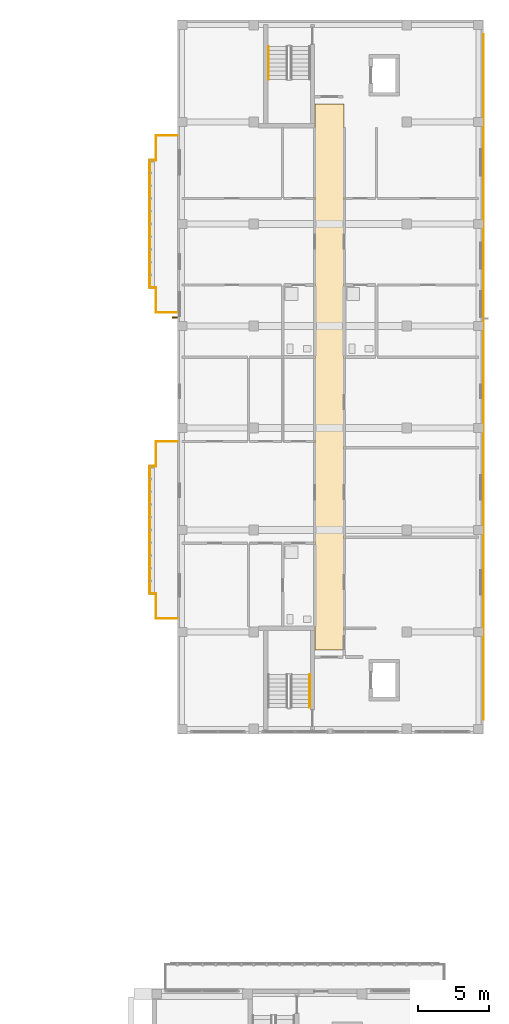
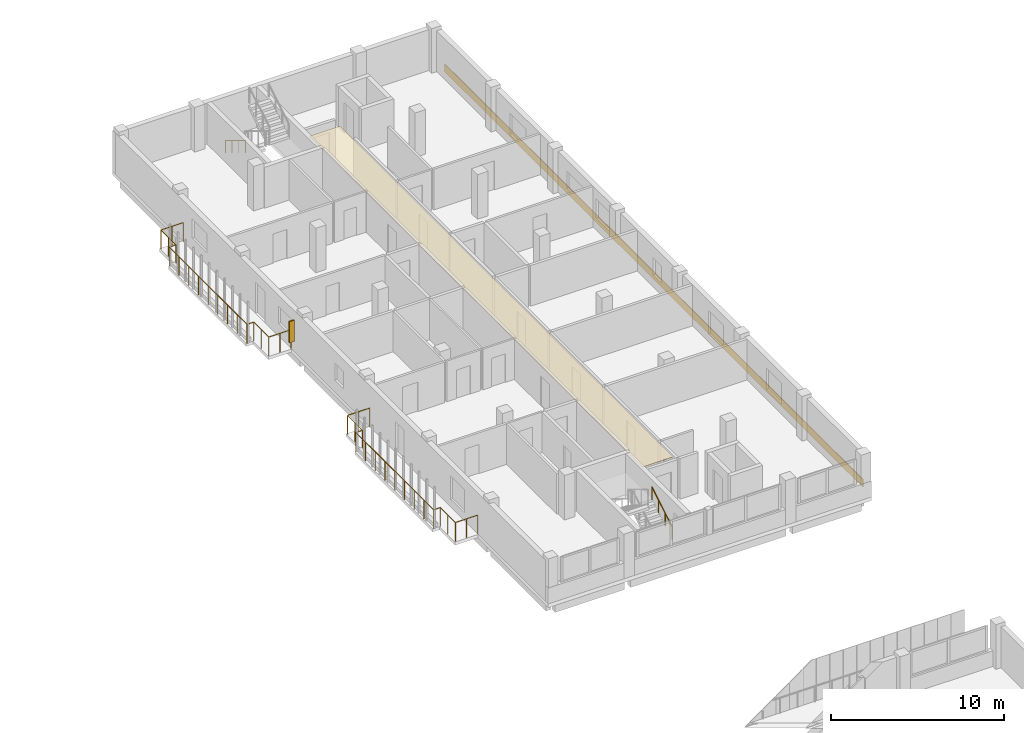
# One storey, part 48 of 51: 4 railings, 2 coverings, 1 shading device.
"""IFC4 building model written with IfcOpenShell, lengths in metres."""

from ifc_helpers import new_model, si_unit, derived_unit, direction, frame, origin, origin_2d, place, context, subcontext, project, spatial, polyline, rectangle, circle, outline, extrude, material, layer, layer_set, type_object, element, save


model = new_model("IFC4")

# Units and contexts
model_context = context("Model", 3, precision=1e-05, world=origin(), true_north=direction((0.0, 1.0)))
body_context = subcontext(model_context, "Body", "Model", "MODEL_VIEW")
ifc_project = project(units=[si_unit("LENGTHUNIT", "METRE"), si_unit("AREAUNIT", "SQUARE_METRE"), si_unit("VOLUMEUNIT", "CUBIC_METRE"), si_unit("PLANEANGLEUNIT", "RADIAN"), si_unit("MASSUNIT", "GRAM", prefix="KILO"), derived_unit("THERMALTRANSMITTANCEUNIT", [(si_unit("MASSUNIT", "GRAM", prefix="KILO"), 1), (si_unit("TIMEUNIT", "SECOND"), -3), (si_unit("THERMODYNAMICTEMPERATUREUNIT", "KELVIN"), -1)])], contexts=[model_context])

# Site, building, storey
site_placement = place(None, origin())
site = spatial("IfcSite", under=ifc_project, at=site_placement, CompositionType="ELEMENT")
building_placement = place(site_placement, origin())
building = spatial("IfcBuilding", under=site, at=building_placement, Name="Ochrekiln Boulevard Commons", CompositionType="ELEMENT")
storey_placement = place(building_placement, frame((0.0, 0.0, 18.375)))
storey = spatial("IfcBuildingStorey", under=building, at=storey_placement, Name="L05", CompositionType="ELEMENT", Elevation=18.375)

# Coverings
ifc_material_1 = material(Name="Mineral-fibre acoustic ceiling tile")
ifc_layer_1 = layer(ifc_material_1, 0.02490234375)
ifc_layer_set_1 = layer_set([ifc_layer_1], Name="Mineral-fibre acoustic ceiling tile")
covering_type_1 = type_object("IfcCoveringType", Name="COV-CEIL-AC", PredefinedType="CEILING", material=ifc_layer_set_1)
covering_1_placement = place(storey_placement, frame((0.0, 0.0, 2.64990234375)))
element("IfcCovering", 1, at=covering_1_placement, inside=storey, type_object=covering_type_1, Name="L05 Acoustic Corridor Ceiling 48", PredefinedType="CEILING", context=body_context, shape_type="SweptSolid", body=[
    extrude(outline(polyline([(160.919921875, 74.320068359375), (162.97998046875, 74.320068359375), (162.97998046875, 112.8798828125), (160.919921875, 112.8798828125), (160.919921875, 74.320068359375)])), origin(), (0.0, 0.0, 1.0), 0.025146484375),
])
ifc_material_2 = material(Name="Glazed architectural terracotta ASTM C1405", Category="masonry")
ifc_layer_2 = layer(ifc_material_2, 0.0400390625)
ifc_layer_set_2 = layer_set([ifc_layer_2], Name="Glazed architectural terracotta ASTM C1405")
covering_type_2 = type_object("IfcCoveringType", Name="COV-CLAD-TERRA", PredefinedType="CLADDING", material=ifc_layer_set_2)
covering_2_placement = place(storey_placement, frame((172.820068359375, 93.60009765625, 0.0751953125), z_axis=(0.0, 0.0, 1.0), x_axis=(1.0, 0.0, 0.0)))
element("IfcCovering", 2, at=covering_2_placement, inside=storey, type_object=covering_type_2, Name="Block B L05 Glazed Terracotta Spandrel Band", PredefinedType="CLADDING", context=body_context, shape_type="SweptSolid", body=[
    extrude(rectangle(XDim=0.0400390625, YDim=48.39990234375, at=origin_2d()), origin(), (0.0, 0.0, 1.0), 0.550048828125),
])

# Railings
ifc_material_3 = material(Name="Bronze-anodized extruded aluminium 6063-T6", Category="aluminium")
railing_type_1 = type_object("IfcRailingType", Name="RLG-BAL-1350", PredefinedType="BALUSTRADE", material=ifc_material_3)
railing_1_placement = place(storey_placement, frame((151.199951171875, 76.56005859375, 0.0)))
element("IfcRailing", 3, at=railing_1_placement, inside=storey, type_object=railing_type_1, Name="Block B L05 Balcony Guard Balustrade 1", PredefinedType="BALUSTRADE", context=body_context, shape_type="SweptSolid", body=[
    extrude(circle(Radius=0.02392578125, at=origin_2d()), frame((0.0, 0.0, 1.326171875), z_axis=(-1.0, 0.0, 0.0), x_axis=(0.0, -1.0, 0.0)), (0.0, 0.0, 1.0), 1.489990234375),
    extrude(circle(Radius=0.02392578125, at=origin_2d()), frame((-1.489990234375, 0.0, 1.326171875), z_axis=(0.0, 1.0, 0.0), x_axis=(-1.0, 0.0, 0.0)), (0.0, 0.0, 1.0), 1.739990234375),
    extrude(circle(Radius=0.02392578125, at=origin_2d()), frame((-1.489990234375, 1.739990234375, 1.326171875), z_axis=(-1.0, 0.0, 0.0), x_axis=(0.0, -1.0, 0.0)), (0.0, 0.0, 1.0), 0.449951171875),
    extrude(circle(Radius=0.02392578125, at=origin_2d()), frame((-1.93994140625, 1.739990234375, 1.326171875), z_axis=(0.0, 1.0, 0.0), x_axis=(-1.0, 0.0, 0.0)), (0.0, 0.0, 1.0), 9.0),
    extrude(circle(Radius=0.02392578125, at=origin_2d()), frame((-1.93994140625, 10.739990234375, 1.326171875), z_axis=(1.0, 0.0, 0.0), x_axis=(0.0, 1.0, 0.0)), (0.0, 0.0, 1.0), 0.449951171875),
    extrude(circle(Radius=0.02392578125, at=origin_2d()), frame((-1.489990234375, 10.739990234375, 1.326171875), z_axis=(0.0, 1.0, 0.0), x_axis=(-1.0, 0.0, 0.0)), (0.0, 0.0, 1.0), 1.739990234375),
    extrude(circle(Radius=0.02392578125, at=origin_2d()), frame((-1.489990234375, 12.47998046875, 1.326171875), z_axis=(1.0, 0.0, 0.0), x_axis=(0.0, 1.0, 0.0)), (0.0, 0.0, 1.0), 1.489990234375),
    extrude(circle(Radius=0.02099609375, at=origin_2d()), origin(), (0.0, 0.0, 1.0), 1.302001953125),
    extrude(circle(Radius=0.02099609375, at=origin_2d()), frame((-0.7451171875, 0.0, 0.0)), (0.0, 0.0, 1.0), 1.302001953125),
    extrude(circle(Radius=0.02099609375, at=origin_2d()), frame((-1.489990234375, 0.0, 0.0)), (0.0, 0.0, 1.0), 1.302001953125),
    extrude(circle(Radius=0.02099609375, at=origin_2d()), frame((-1.489990234375, 0.8701171875, 0.0)), (0.0, 0.0, 1.0), 1.302001953125),
    extrude(circle(Radius=0.02099609375, at=origin_2d()), frame((-1.489990234375, 1.739990234375, 0.0)), (0.0, 0.0, 1.0), 1.302001953125),
    extrude(circle(Radius=0.02099609375, at=origin_2d()), frame((-1.93994140625, 1.739990234375, 0.0)), (0.0, 0.0, 1.0), 1.302001953125),
    extrude(circle(Radius=0.02099609375, at=origin_2d()), frame((-1.93994140625, 2.864990234375, 0.0)), (0.0, 0.0, 1.0), 1.302001953125),
    extrude(circle(Radius=0.02099609375, at=origin_2d()), frame((-1.93994140625, 3.989990234375, 0.0)), (0.0, 0.0, 1.0), 1.302001953125),
    extrude(circle(Radius=0.02099609375, at=origin_2d()), frame((-1.93994140625, 5.114990234375, 0.0)), (0.0, 0.0, 1.0), 1.302001953125),
    extrude(circle(Radius=0.02099609375, at=origin_2d()), frame((-1.93994140625, 6.239990234375, 0.0)), (0.0, 0.0, 1.0), 1.302001953125),
    extrude(circle(Radius=0.02099609375, at=origin_2d()), frame((-1.93994140625, 7.364990234375, 0.0)), (0.0, 0.0, 1.0), 1.302001953125),
    extrude(circle(Radius=0.02099609375, at=origin_2d()), frame((-1.93994140625, 8.489990234375, 0.0)), (0.0, 0.0, 1.0), 1.302001953125),
    extrude(circle(Radius=0.02099609375, at=origin_2d()), frame((-1.93994140625, 9.614990234375, 0.0)), (0.0, 0.0, 1.0), 1.302001953125),
    extrude(circle(Radius=0.02099609375, at=origin_2d()), frame((-1.93994140625, 10.739990234375, 0.0)), (0.0, 0.0, 1.0), 1.302001953125),
    extrude(circle(Radius=0.02099609375, at=origin_2d()), frame((-1.489990234375, 10.739990234375, 0.0)), (0.0, 0.0, 1.0), 1.302001953125),
    extrude(circle(Radius=0.02099609375, at=origin_2d()), frame((-1.489990234375, 11.60986328125, 0.0)), (0.0, 0.0, 1.0), 1.302001953125),
    extrude(circle(Radius=0.02099609375, at=origin_2d()), frame((-1.489990234375, 12.47998046875, 0.0)), (0.0, 0.0, 1.0), 1.302001953125),
    extrude(circle(Radius=0.02099609375, at=origin_2d()), frame((-0.7451171875, 12.47998046875, 0.0)), (0.0, 0.0, 1.0), 1.302001953125),
    extrude(circle(Radius=0.02099609375, at=origin_2d()), frame((0.0, 12.47998046875, 0.0)), (0.0, 0.0, 1.0), 1.302001953125),
])
railing_2_placement = place(storey_placement, frame((151.199951171875, 98.159912109375, 0.0)))
element("IfcRailing", 4, at=railing_2_placement, inside=storey, type_object=railing_type_1, Name="Block B L05 Balcony Guard Balustrade 2", PredefinedType="BALUSTRADE", context=body_context, shape_type="SweptSolid", body=[
    extrude(circle(Radius=0.02392578125, at=origin_2d()), frame((0.0, 0.0, 1.326171875), z_axis=(-1.0, 0.0, 0.0), x_axis=(0.0, -1.0, 0.0)), (0.0, 0.0, 1.0), 1.489990234375),
    extrude(circle(Radius=0.02392578125, at=origin_2d()), frame((-1.489990234375, 0.0, 1.326171875), z_axis=(0.0, 1.0, 0.0), x_axis=(-1.0, 0.0, 0.0)), (0.0, 0.0, 1.0), 1.739990234375),
    extrude(circle(Radius=0.02392578125, at=origin_2d()), frame((-1.489990234375, 1.739990234375, 1.326171875), z_axis=(-1.0, 0.0, 0.0), x_axis=(0.0, -1.0, 0.0)), (0.0, 0.0, 1.0), 0.449951171875),
    extrude(circle(Radius=0.02392578125, at=origin_2d()), frame((-1.93994140625, 1.739990234375, 1.326171875), z_axis=(0.0, 1.0, 0.0), x_axis=(-1.0, 0.0, 0.0)), (0.0, 0.0, 1.0), 9.0),
    extrude(circle(Radius=0.02392578125, at=origin_2d()), frame((-1.93994140625, 10.739990234375, 1.326171875), z_axis=(1.0, 0.0, 0.0), x_axis=(0.0, 1.0, 0.0)), (0.0, 0.0, 1.0), 0.449951171875),
    extrude(circle(Radius=0.02392578125, at=origin_2d()), frame((-1.489990234375, 10.739990234375, 1.326171875), z_axis=(0.0, 1.0, 0.0), x_axis=(-1.0, 0.0, 0.0)), (0.0, 0.0, 1.0), 1.739990234375),
    extrude(circle(Radius=0.02392578125, at=origin_2d()), frame((-1.489990234375, 12.47998046875, 1.326171875), z_axis=(1.0, 0.0, 0.0), x_axis=(0.0, 1.0, 0.0)), (0.0, 0.0, 1.0), 1.489990234375),
    extrude(circle(Radius=0.02099609375, at=origin_2d()), origin(), (0.0, 0.0, 1.0), 1.302001953125),
    extrude(circle(Radius=0.02099609375, at=origin_2d()), frame((-0.7451171875, 0.0, 0.0)), (0.0, 0.0, 1.0), 1.302001953125),
    extrude(circle(Radius=0.02099609375, at=origin_2d()), frame((-1.489990234375, 0.0, 0.0)), (0.0, 0.0, 1.0), 1.302001953125),
    extrude(circle(Radius=0.02099609375, at=origin_2d()), frame((-1.489990234375, 0.8701171875, 0.0)), (0.0, 0.0, 1.0), 1.302001953125),
    extrude(circle(Radius=0.02099609375, at=origin_2d()), frame((-1.489990234375, 1.739990234375, 0.0)), (0.0, 0.0, 1.0), 1.302001953125),
    extrude(circle(Radius=0.02099609375, at=origin_2d()), frame((-1.93994140625, 1.739990234375, 0.0)), (0.0, 0.0, 1.0), 1.302001953125),
    extrude(circle(Radius=0.02099609375, at=origin_2d()), frame((-1.93994140625, 2.864990234375, 0.0)), (0.0, 0.0, 1.0), 1.302001953125),
    extrude(circle(Radius=0.02099609375, at=origin_2d()), frame((-1.93994140625, 3.989990234375, 0.0)), (0.0, 0.0, 1.0), 1.302001953125),
    extrude(circle(Radius=0.02099609375, at=origin_2d()), frame((-1.93994140625, 5.114990234375, 0.0)), (0.0, 0.0, 1.0), 1.302001953125),
    extrude(circle(Radius=0.02099609375, at=origin_2d()), frame((-1.93994140625, 6.239990234375, 0.0)), (0.0, 0.0, 1.0), 1.302001953125),
    extrude(circle(Radius=0.02099609375, at=origin_2d()), frame((-1.93994140625, 7.364990234375, 0.0)), (0.0, 0.0, 1.0), 1.302001953125),
    extrude(circle(Radius=0.02099609375, at=origin_2d()), frame((-1.93994140625, 8.489990234375, 0.0)), (0.0, 0.0, 1.0), 1.302001953125),
    extrude(circle(Radius=0.02099609375, at=origin_2d()), frame((-1.93994140625, 9.614990234375, 0.0)), (0.0, 0.0, 1.0), 1.302001953125),
    extrude(circle(Radius=0.02099609375, at=origin_2d()), frame((-1.93994140625, 10.739990234375, 0.0)), (0.0, 0.0, 1.0), 1.302001953125),
    extrude(circle(Radius=0.02099609375, at=origin_2d()), frame((-1.489990234375, 10.739990234375, 0.0)), (0.0, 0.0, 1.0), 1.302001953125),
    extrude(circle(Radius=0.02099609375, at=origin_2d()), frame((-1.489990234375, 11.60986328125, 0.0)), (0.0, 0.0, 1.0), 1.302001953125),
    extrude(circle(Radius=0.02099609375, at=origin_2d()), frame((-1.489990234375, 12.47998046875, 0.0)), (0.0, 0.0, 1.0), 1.302001953125),
    extrude(circle(Radius=0.02099609375, at=origin_2d()), frame((-0.7451171875, 12.47998046875, 0.0)), (0.0, 0.0, 1.0), 1.302001953125),
    extrude(circle(Radius=0.02099609375, at=origin_2d()), frame((0.0, 12.47998046875, 0.0)), (0.0, 0.0, 1.0), 1.302001953125),
])
ifc_material_4 = material(Name="Brushed stainless steel 316 tubular railing", Category="steel")
railing_type_2 = type_object("IfcRailingType", Name="RLG-HDR-900", PredefinedType="HANDRAIL", material=ifc_material_4)
railing_3_placement = place(storey_placement, frame((160.550048828125, 70.27001953125, 0.175048828125)))
element("IfcRailing", 5, at=railing_3_placement, inside=storey, type_object=railing_type_2, Name="L05 ST-B1 stair handrail 1", PredefinedType="HANDRAIL", context=body_context, shape_type="SweptSolid", body=[
    extrude(circle(Radius=0.02392578125, at=origin_2d()), frame((0.0, 0.0, 0.8759765625), z_axis=(0.0, 0.85621033714, 0.516627388526), x_axis=(-1.0, 0.0, 0.0)), (0.0, 0.0, 1.0), 2.709716796875),
    extrude(circle(Radius=0.02099609375, at=origin_2d()), origin(), (0.0, 0.0, 1.0), 0.851806640625),
    extrude(circle(Radius=0.02099609375, at=origin_2d()), frame((0.0, 0.7734375, 0.466552734375)), (0.0, 0.0, 1.0), 0.851806640625),
    extrude(circle(Radius=0.02099609375, at=origin_2d()), frame((0.0, 1.546630859375, 0.933349609375)), (0.0, 0.0, 1.0), 0.851806640625),
    extrude(circle(Radius=0.02099609375, at=origin_2d()), frame((0.0, 2.320068359375, 1.39990234375)), (0.0, 0.0, 1.0), 0.851806640625),
])
railing_4_placement = place(storey_placement, frame((157.64990234375, 116.929931640625, 0.175048828125)))
element("IfcRailing", 6, at=railing_4_placement, inside=storey, type_object=railing_type_2, Name="L05 ST-B2 stair handrail 1", PredefinedType="HANDRAIL", context=body_context, shape_type="SweptSolid", body=[
    extrude(circle(Radius=0.02392578125, at=origin_2d()), frame((0.0, 0.0, 0.8759765625), z_axis=(0.0, -0.856186286599, 0.516667245565), x_axis=(1.0, 0.0, 0.0)), (0.0, 0.0, 1.0), 2.70947265625),
    extrude(circle(Radius=0.02099609375, at=origin_2d()), origin(), (0.0, 0.0, 1.0), 0.851806640625),
    extrude(circle(Radius=0.02099609375, at=origin_2d()), frame((0.0, -0.773193359375, 0.466552734375)), (0.0, 0.0, 1.0), 0.851806640625),
    extrude(circle(Radius=0.02099609375, at=origin_2d()), frame((0.0, -1.546630859375, 0.933349609375)), (0.0, 0.0, 1.0), 0.851806640625),
    extrude(circle(Radius=0.02099609375, at=origin_2d()), frame((0.0, -2.31982421875, 1.39990234375)), (0.0, 0.0, 1.0), 0.851806640625),
])

# Shading device
shading_device_type = type_object("IfcShadingDeviceType", Name="SHD-FIN-TERRA", PredefinedType="JALOUSIE", material=ifc_material_2)
shading_device_placement = place(storey_placement, frame((151.030029296875, 97.800048828125, 0.75), z_axis=(0.0, 0.0, 1.0), x_axis=(1.0, 0.0, 0.0)))
element("IfcShadingDevice", 7, at=shading_device_placement, inside=storey, type_object=shading_device_type, Name="Terracotta Solar Shading Fin SF-01 (36)", PredefinedType="JALOUSIE", context=body_context, shape_type="SweptSolid", body=[
    extrude(rectangle(XDim=0.35009765625, YDim=0.080078125, at=origin_2d()), origin(), (0.0, 0.0, 1.0), 1.5),
])

save(model, "model.ifc")
